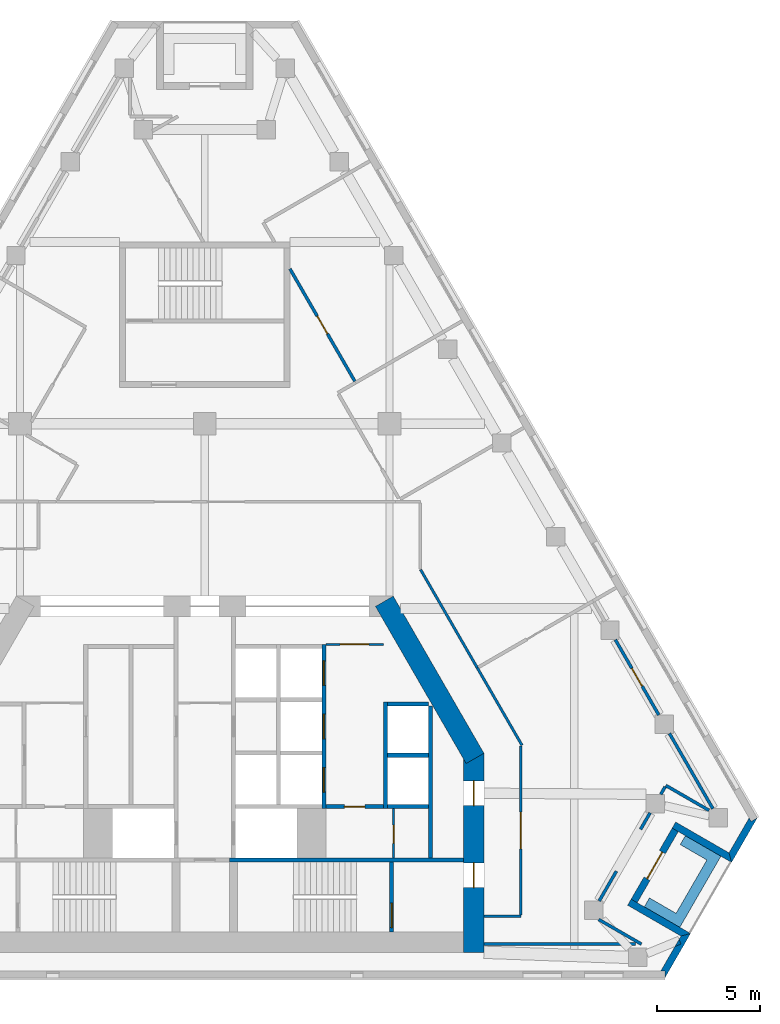
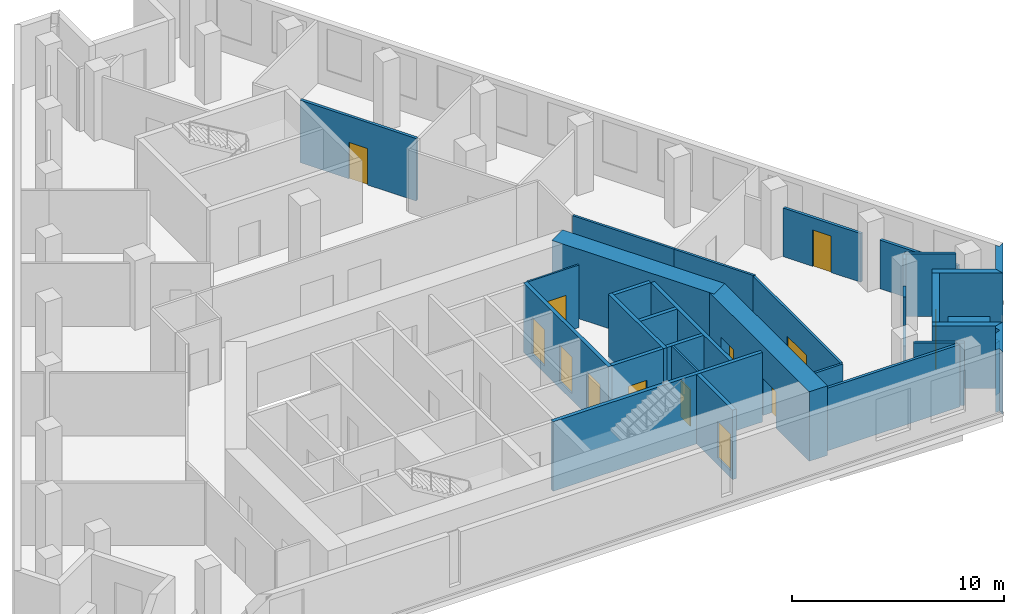
# One storey, part 5 of 8: 33 walls, 13 doors, 13 openings.
"""IFC4 building model written with IfcOpenShell, lengths in metres."""

import ifcopenshell
import ifcopenshell.guid

model = None  # the IFC model being written
_history = None  # IfcOwnerHistory: only IFC2X3 demands one
_inside = {}  # id of a spatial element -> (the spatial element, [elements in it])
_under = {}  # id of a project, library or spatial element -> (it, [spatial elements below it])
_declared = {}  # id of a project -> (the project, [libraries it declares])
_typed = {}  # id of a type object -> (the type object, [elements of that type])
_made_of = {}  # id of a material, layer set ... -> (it, [elements and type objects made of it])


def new_model(schema):
    """Start an empty IFC model of exactly this schema.

    Asked for "IFC4X3", IfcOpenShell would pick the latest addendum, in which some entities
    have other attributes; the version numbers below select the first issue.
    IFC2X3 requires an IfcOwnerHistory on every rooted entity: one is made here for all.
    """
    global model, _history
    if schema == "IFC4X3":
        model = ifcopenshell.file(schema_version=(4, 3, 0, 0))
    else:
        model = ifcopenshell.file(schema=schema)
    _inside.clear()
    _under.clear()
    _declared.clear()
    _typed.clear()
    _made_of.clear()
    _history = None
    if model.schema == "IFC2X3":
        org = make("IfcOrganization", Name="unknown")
        user = make(
            "IfcPersonAndOrganization",
            ThePerson=make("IfcPerson", FamilyName="unknown"),
            TheOrganization=org,
        )
        app = make(
            "IfcApplication",
            ApplicationDeveloper=org,
            Version="unknown",
            ApplicationFullName="unknown",
            ApplicationIdentifier="unknown",
        )
        _history = make(
            "IfcOwnerHistory",
            OwningUser=user,
            OwningApplication=app,
            ChangeAction="ADDED",
            CreationDate=0,
        )
    return model


def make(cls, **values):
    """One entity of the class cls with the attributes given. An attribute that is None is left unset."""
    return model.create_entity(
        cls, **{name: value for name, value in values.items() if value is not None}
    )


def rooted(cls, **values):
    """An entity with a GlobalId (a new one), such as an element, a storey or a relation."""
    return make(cls, GlobalId=ifcopenshell.guid.new(), OwnerHistory=_history, **values)


def si_unit(unit_type, name, prefix=None):
    """IfcSIUnit, for example si_unit("LENGTHUNIT", "METRE", prefix="MILLI")."""
    return make("IfcSIUnit", UnitType=unit_type, Prefix=prefix, Name=name)


def assignment(units):
    """IfcUnitAssignment: the units of a project."""
    return None if units is None else make("IfcUnitAssignment", Units=units)


def point(xyz):
    """IfcCartesianPoint."""
    return None if xyz is None else make("IfcCartesianPoint", Coordinates=xyz)


def direction(xyz):
    """IfcDirection."""
    return None if xyz is None else make("IfcDirection", DirectionRatios=xyz)


def frame(location, z_axis=None, x_axis=None):
    """IfcAxis2Placement3D, a coordinate frame: its origin and axes. An axis left out is left unset."""
    return make(
        "IfcAxis2Placement3D",
        Location=point(location),
        Axis=direction(z_axis),
        RefDirection=direction(x_axis),
    )


def frame_2d(location, x_axis=None):
    """IfcAxis2Placement2D, a coordinate frame in the plane: its origin and x axis."""
    return make(
        "IfcAxis2Placement2D", Location=point(location), RefDirection=direction(x_axis)
    )


def origin():
    """The frame at (0, 0, 0) with its axes left unset."""
    return frame((0.0, 0.0, 0.0))


def place(relative_to, where):
    """IfcLocalPlacement: puts the frame where relative to a parent placement (None: the world)."""
    return make(
        "IfcLocalPlacement", PlacementRelTo=relative_to, RelativePlacement=where
    )


def context(
    kind, dimensions, precision=None, world=None, true_north=None, identifier=None
):
    """IfcGeometricRepresentationContext, for example the 3D "Model" context."""
    return make(
        "IfcGeometricRepresentationContext",
        ContextIdentifier=identifier,
        ContextType=kind,
        CoordinateSpaceDimension=dimensions,
        Precision=precision,
        WorldCoordinateSystem=world,
        TrueNorth=true_north,
    )


def subcontext(parent, identifier, kind, view, scale=None):
    """IfcGeometricRepresentationSubContext, for example "Body" below "Model"."""
    return make(
        "IfcGeometricRepresentationSubContext",
        ContextIdentifier=identifier,
        ContextType=kind,
        ParentContext=parent,
        TargetScale=scale,
        TargetView=view,
    )


def project(units=None, contexts=None):
    """IfcProject with its units and contexts."""
    return rooted(
        "IfcProject",
        Name="project",
        RepresentationContexts=contexts,
        UnitsInContext=assignment(units),
    )


def spatial(cls, under=None, at=None, **own):
    """A site, building, storey or space (cls), placed at a placement, below another one or the project."""
    s = rooted(cls, ObjectPlacement=at, **own)
    if under is not None:
        _under.setdefault(under.id(), (under, []))[1].append(s)
    return s


def polyline(points):
    """IfcPolyline through the points."""
    return make("IfcPolyline", Points=[point(p) for p in points])


def profile(cls, at=None, kind="AREA", **sizes):
    """A parametric profile (cls). Its sizes go by their IFC names, for example OverallWidth=200.0."""
    return make(cls, ProfileType=kind, Position=at, **sizes)


def rectangle(**sizes):
    """IfcRectangleProfileDef."""
    return profile("IfcRectangleProfileDef", **sizes)


def outline(outer, holes=None, kind="AREA"):
    """IfcArbitraryClosedProfileDef: a profile drawn as a closed curve; with holes, ...WithVoids."""
    if holes is None:
        return make("IfcArbitraryClosedProfileDef", ProfileType=kind, OuterCurve=outer)
    return make(
        "IfcArbitraryProfileDefWithVoids",
        ProfileType=kind,
        OuterCurve=outer,
        InnerCurves=holes,
    )


def extrude(swept, where, along, depth):
    """IfcExtrudedAreaSolid: the profile swept, set in the frame where, extruded along a direction by depth."""
    return make(
        "IfcExtrudedAreaSolid",
        SweptArea=swept,
        Position=where,
        ExtrudedDirection=direction(along),
        Depth=depth,
    )


def shape(context_of_items, identifier, shape_type, items):
    """IfcShapeRepresentation: the items that make up one representation, for example the "Body"."""
    return make(
        "IfcShapeRepresentation",
        ContextOfItems=context_of_items,
        RepresentationIdentifier=identifier,
        RepresentationType=shape_type,
        Items=items,
    )


def material(Name=None, Category=None):
    """IfcMaterial."""
    return make("IfcMaterial", Name=Name, Category=Category)


def layer(
    of_material, thickness, ventilated=None, Name=None, Category=None, Priority=None
):
    """IfcMaterialLayer: one layer of a wall or slab, of a material (None: an air gap)."""
    return make(
        "IfcMaterialLayer",
        Material=of_material,
        LayerThickness=thickness,
        IsVentilated=ventilated,
        Name=Name,
        Category=Category,
        Priority=Priority,
    )


def layer_set(layers, Name=None):
    """IfcMaterialLayerSet."""
    return make("IfcMaterialLayerSet", MaterialLayers=layers, LayerSetName=Name)


def made_of(thing, what):
    """Note that an element or type object is made of a material, layer set ...; save() writes the relation."""
    if what is not None:
        _made_of.setdefault(what.id(), (what, []))[1].append(thing)
    return thing


def type_object(cls, material=None, **own):
    """A type object (cls), such as IfcWallType, which elements share."""
    return made_of(rooted(cls, **own), material)


def element(
    cls,
    number,
    at=None,
    inside=None,
    cuts=None,
    type_object=None,
    material=None,
    context=None,
    identifier="Body",
    shape_type=None,
    held_by="IfcProductDefinitionShape",
    body=None,
    shapes=None,
    **own,
):
    """One element of the class cls, such as IfcWall. Its Tag is "e" and its number.

    at: its placement. inside: the storey or other place that contains it. cuts: it is an
    opening in that element (IfcRelVoidsElement). A single representation is given by context,
    identifier, shape_type and body (its items); several are given by shapes. held_by: the class
    of the entity that holds the representations. save() writes the other relations.
    """
    e = rooted(cls, Tag="e%d" % number, ObjectPlacement=at, **own)
    if body is not None:
        shapes = [shape(context, identifier, shape_type, body)]
    if shapes is not None:
        e.Representation = make(held_by, Representations=shapes)
    if inside is not None:
        _inside.setdefault(inside.id(), (inside, []))[1].append(e)
    if cuts is not None:
        rooted(
            "IfcRelVoidsElement", RelatingBuildingElement=cuts, RelatedOpeningElement=e
        )
    if type_object is not None:
        _typed.setdefault(type_object.id(), (type_object, []))[1].append(e)
    return made_of(e, material)


def fill(opening, filler):
    """IfcRelFillsElement: the door or window that sits in an opening."""
    return rooted(
        "IfcRelFillsElement",
        RelatingOpeningElement=opening,
        RelatedBuildingElement=filler,
    )


def aggregate(whole, parts):
    """IfcRelAggregates: a whole, such as a stair, and the parts it consists of."""
    return rooted("IfcRelAggregates", RelatingObject=whole, RelatedObjects=parts)


def save(model, path):
    """Write the relations noted so far, then the file.

    IfcRelAggregates (storeys below a building ...), IfcRelContainedInSpatialStructure (elements
    in a storey), IfcRelDefinesByType, IfcRelAssociatesMaterial and IfcRelDeclares: one each for
    every whole, place, type object, material and project.
    """
    for whole, parts in _under.values():
        aggregate(whole, parts)
    for where, things in _inside.values():
        rooted(
            "IfcRelContainedInSpatialStructure",
            RelatedElements=things,
            RelatingStructure=where,
        )
    for kind, things in _typed.values():
        rooted("IfcRelDefinesByType", RelatedObjects=things, RelatingType=kind)
    for what, things in _made_of.values():
        rooted("IfcRelAssociatesMaterial", RelatedObjects=things, RelatingMaterial=what)
    for by, libraries in _declared.values():
        rooted("IfcRelDeclares", RelatingContext=by, RelatedDefinitions=libraries)
    model.write(path)


model = new_model("IFC4")

# Units and contexts
model_context = context("Model", 3, precision=1e-05, world=origin(), true_north=direction((0.0, 1.0)))
body_context = subcontext(model_context, "Body", "Model", "MODEL_VIEW")
ifc_project = project(units=[si_unit("LENGTHUNIT", "METRE"), si_unit("AREAUNIT", "SQUARE_METRE"), si_unit("VOLUMEUNIT", "CUBIC_METRE"), si_unit("PLANEANGLEUNIT", "RADIAN"), si_unit("MASSUNIT", "GRAM", prefix="KILO")], contexts=[model_context])

# Site, building, storey
site_placement = place(None, origin())
site = spatial("IfcSite", under=ifc_project, at=site_placement, CompositionType="ELEMENT")
building_placement = place(site_placement, origin())
building = spatial("IfcBuilding", under=site, at=building_placement, Name="Fogline Exchange Tower", CompositionType="ELEMENT")
storey_placement = place(building_placement, frame((0.0, 0.0, 227.5)))
storey = spatial("IfcBuildingStorey", under=building, at=storey_placement, Name="L51", CompositionType="ELEMENT", Elevation=227.5)

# Wall, opening, door
ifc_material_1 = material(Name="Blockwork partition", Category="masonry")
ifc_layer_1 = layer(ifc_material_1, 0.10009765625)
ifc_layer_set_1 = layer_set([ifc_layer_1], Name="CW10")
wall_type_1 = type_object("IfcWallType", Name="CW10", PredefinedType="PARTITIONING", material=ifc_layer_set_1)
wall_1_placement = place(storey_placement, frame((5.89990234375, 16.25, 0.0), z_axis=(0.0, 0.0, 1.0), x_axis=(1.0, 0.0, 0.0)))
wall_1 = element("IfcWall", 1, at=wall_1_placement, inside=storey, type_object=wall_type_1, Name="Lift lobby partition", PredefinedType="PARTITIONING", context=body_context, shape_type="SweptSolid", body=[
    extrude(rectangle(XDim=2.800048828125, YDim=0.10009765625, at=frame_2d((1.39990234375, 0.0))), origin(), (0.0, 0.0, 1.0), 3.60009765625),
])
opening_1_placement = place(wall_1_placement, frame((0.699951171875, 0.0, 0.0)))
opening_1 = element("IfcOpeningElement", 2, at=opening_1_placement, cuts=wall_1, Name="Opening T16-C012", PredefinedType="OPENING", context=body_context, shape_type="SweptSolid", body=[
    extrude(rectangle(XDim=1.39990234375, YDim=2.10009765625, at=frame_2d((0.699951171875, 1.050048828125))), frame((0.0, 0.06005859375, 0.0), z_axis=(0.0, -1.0, 0.0), x_axis=(1.0, 0.0, 0.0)), (0.0, 0.0, 1.0), 0.1201171875),
])
ifc_material_2 = material(Name="Steel and timber fire door", Category="steel")
door_type_1 = type_object("IfcDoorType", Name="D-LB1", OperationType="DOUBLE_DOOR_SINGLE_SWING", PredefinedType="DOOR", material=ifc_material_2)
door_1_placement = place(opening_1_placement, origin())
door_1 = element("IfcDoor", 3, at=door_1_placement, inside=storey, type_object=door_type_1, Name="Door to lift lobby", OperationType="DOUBLE_DOOR_SINGLE_SWING", OverallHeight=2.10009765625, OverallWidth=1.39990234375, PredefinedType="DOOR", context=body_context, shape_type="SweptSolid", body=[
    extrude(rectangle(XDim=1.39990234375, YDim=2.10009765625, at=frame_2d((0.699951171875, 1.050048828125))), frame((0.0, 0.02490234375, 0.0), z_axis=(0.0, -1.0, 0.0), x_axis=(1.0, 0.0, 0.0)), (0.0, 0.0, 1.0), 0.050048828125),
])
fill(opening_1, door_1)

wall_2_placement = place(storey_placement, frame((9.199951171875, 5.85009765625, 0.0), z_axis=(0.0, 0.0, 1.0), x_axis=(0.0, 1.0, 0.0)))
wall_2 = element("IfcWall", 4, at=wall_2_placement, inside=storey, type_object=wall_type_1, Name="WC partition", PredefinedType="PARTITIONING", context=body_context, shape_type="SweptSolid", body=[
    extrude(rectangle(XDim=2.39990234375, YDim=0.10009765625, at=frame_2d((1.199951171875, 0.0))), origin(), (0.0, 0.0, 1.0), 3.60009765625),
])
opening_2_placement = place(wall_2_placement, frame((0.699951171875, 0.0, 0.0)))
opening_2 = element("IfcOpeningElement", 5, at=opening_2_placement, cuts=wall_2, Name="Opening T16-C014", PredefinedType="OPENING", context=body_context, shape_type="SweptSolid", body=[
    extrude(rectangle(XDim=0.89990234375, YDim=2.10009765625, at=frame_2d((0.449951171875, 1.050048828125))), frame((0.0, 0.06005859375, 0.0), z_axis=(0.0, -1.0, 0.0), x_axis=(1.0, 0.0, 0.0)), (0.0, 0.0, 1.0), 0.1201171875),
])
door_type_2 = type_object("IfcDoorType", Name="D-CS1", OperationType="SINGLE_SWING_RIGHT", PredefinedType="DOOR", material=ifc_material_2)
door_2_placement = place(opening_2_placement, frame((0.89990234375, 0.0, 0.0), z_axis=(0.0, 0.0, 1.0), x_axis=(-1.0, 0.0, 0.0)))
door_2 = element("IfcDoor", 6, at=door_2_placement, inside=storey, type_object=door_type_2, Name="Door to Cleaner's Store", OperationType="SINGLE_SWING_RIGHT", OverallHeight=2.10009765625, OverallWidth=0.89990234375, PredefinedType="DOOR", context=body_context, shape_type="SweptSolid", body=[
    extrude(rectangle(XDim=0.89990234375, YDim=2.10009765625, at=frame_2d((0.449951171875, 1.050048828125))), frame((0.0, 0.02490234375, 0.0), z_axis=(0.0, -1.0, 0.0), x_axis=(1.0, 0.0, 0.0)), (0.0, 0.0, 1.0), 0.050048828125),
])
fill(opening_2, door_2)

# Wall
ifc_material_3 = material(Name="Concrete C40", Category="concrete")
ifc_layer_2 = layer(ifc_material_3, 0.199951171875)
ifc_layer_set_2 = layer_set([ifc_layer_2], Name="CW20")
wall_type_2 = type_object("IfcWallType", Name="CW20", PredefinedType="SOLIDWALL", material=ifc_layer_set_2)
wall_3_placement = place(storey_placement, frame((11.0, 5.85009765625, 0.0), z_axis=(0.0, 0.0, 1.0), x_axis=(0.0, 1.0, 0.0)))
element("IfcWall", 7, at=wall_3_placement, inside=storey, type_object=wall_type_2, Name="Service room wall", PredefinedType="SOLIDWALL", context=body_context, shape_type="SweptSolid", body=[
    extrude(rectangle(XDim=7.39990234375, YDim=0.199951171875, at=frame_2d((3.699951171875, 0.0))), origin(), (0.0, 0.0, 1.0), 3.60009765625),
])

# Wall, opening, door
wall_4_placement = place(storey_placement, frame((5.89990234375, 8.35009765625, 0.0), z_axis=(0.0, 0.0, 1.0), x_axis=(1.0, 0.0, 0.0)))
wall_4 = element("IfcWall", 8, at=wall_4_placement, inside=storey, type_object=wall_type_2, Name="WC wall", PredefinedType="SOLIDWALL", context=body_context, shape_type="SweptSolid", body=[
    extrude(rectangle(XDim=2.800048828125, YDim=0.199951171875, at=frame_2d((1.39990234375, 0.0))), origin(), (0.0, 0.0, 1.0), 3.60009765625),
])
opening_3_placement = place(wall_4_placement, frame((0.89990234375, 0.0, 0.0)))
opening_3 = element("IfcOpeningElement", 9, at=opening_3_placement, cuts=wall_4, Name="Opening T16-C013", PredefinedType="OPENING", context=body_context, shape_type="SweptSolid", body=[
    extrude(rectangle(XDim=1.0, YDim=2.10009765625, at=frame_2d((0.5, 1.050048828125))), frame((0.0, 0.10986328125, 0.0), z_axis=(0.0, -1.0, 0.0), x_axis=(1.0, 0.0, 0.0)), (0.0, 0.0, 1.0), 0.219970703125),
])
door_type_3 = type_object("IfcDoorType", Name="D-WC1", OperationType="SINGLE_SWING_LEFT", PredefinedType="DOOR", material=ifc_material_2)
door_3_placement = place(opening_3_placement, frame((1.0, 0.0, 0.0), z_axis=(0.0, 0.0, 1.0), x_axis=(-1.0, 0.0, 0.0)))
door_3 = element("IfcDoor", 10, at=door_3_placement, inside=storey, type_object=door_type_3, Name="Door to Women's WC", OperationType="SINGLE_SWING_LEFT", OverallHeight=2.10009765625, OverallWidth=1.0, PredefinedType="DOOR", context=body_context, shape_type="SweptSolid", body=[
    extrude(rectangle(XDim=1.0, YDim=2.10009765625, at=frame_2d((0.5, 1.050048828125))), frame((0.0, 0.02490234375, 0.0), z_axis=(0.0, -1.0, 0.0), x_axis=(1.0, 0.0, 0.0)), (0.0, 0.0, 1.0), 0.050048828125),
])
fill(opening_3, door_3)

# Wall
ifc_layer_3 = layer(ifc_material_3, 0.199951171875)
ifc_layer_set_3 = layer_set([ifc_layer_3], Name="CW20R")
wall_type_3 = type_object("IfcWallType", Name="CW20R", PredefinedType="SOLIDWALL", material=ifc_layer_set_3)
wall_5_placement = place(storey_placement, frame((1.199951171875, 5.75, -0.39990234375), z_axis=(0.0, 0.0, 1.0), x_axis=(1.0, 0.0, 0.0)))
element("IfcWall", 11, at=wall_5_placement, inside=storey, type_object=wall_type_3, Name="Stair enclosure wall", PredefinedType="SOLIDWALL", context=body_context, shape_type="SweptSolid", body=[
    extrude(rectangle(XDim=11.400146484375, YDim=0.199951171875, at=frame_2d((5.7001953125, 0.0))), origin(), (0.0, 0.0, 1.0), 4.0),
])

# Wall, opening, door
wall_6_placement = place(storey_placement, frame((9.10009765625, 2.25, -0.39990234375), z_axis=(0.0, 0.0, 1.0), x_axis=(0.0, 1.0, 0.0)))
wall_6 = element("IfcWall", 12, at=wall_6_placement, inside=storey, type_object=wall_type_3, Name="Stair enclosure wall", PredefinedType="SOLIDWALL", context=body_context, shape_type="SweptSolid", body=[
    extrude(rectangle(XDim=3.39990234375, YDim=0.199951171875, at=frame_2d((1.699951171875, 0.0))), origin(), (0.0, 0.0, 1.0), 4.0),
])
opening_4_placement = place(wall_6_placement, frame((0.199951171875, 0.0, 0.39990234375)))
opening_4 = element("IfcOpeningElement", 13, at=opening_4_placement, cuts=wall_6, Name="Opening T16-C016", PredefinedType="OPENING", context=body_context, shape_type="SweptSolid", body=[
    extrude(rectangle(XDim=1.199951171875, YDim=2.10009765625, at=frame_2d((0.60009765625, 1.050048828125))), frame((0.0, 0.10986328125, 0.0), z_axis=(0.0, -1.0, 0.0), x_axis=(1.0, 0.0, 0.0)), (0.0, 0.0, 1.0), 0.219970703125),
])
door_type_4 = type_object("IfcDoorType", Name="D-ST1", OperationType="SINGLE_SWING_LEFT", PredefinedType="DOOR", material=ifc_material_2)
door_4_placement = place(opening_4_placement, origin())
door_4 = element("IfcDoor", 14, at=door_4_placement, inside=storey, type_object=door_type_4, Name="Stair door ST2", OperationType="SINGLE_SWING_LEFT", OverallHeight=2.10009765625, OverallWidth=1.199951171875, PredefinedType="DOOR", context=body_context, shape_type="SweptSolid", body=[
    extrude(rectangle(XDim=1.199951171875, YDim=2.10009765625, at=frame_2d((0.60009765625, 1.050048828125))), frame((0.0, 0.02490234375, 0.0), z_axis=(0.0, -1.0, 0.0), x_axis=(1.0, 0.0, 0.0)), (0.0, 0.0, 1.0), 0.050048828125),
])
fill(opening_4, door_4)

# Wall
ifc_layer_4 = layer(ifc_material_3, 0.199951171875)
ifc_layer_set_4 = layer_set([ifc_layer_4], Name="CW20S")
wall_type_4 = type_object("IfcWallType", Name="CW20S", PredefinedType="SOLIDWALL", material=ifc_layer_set_4)
wall_7_placement = place(storey_placement, frame((8.800048828125, 8.25, -0.39990234375), z_axis=(0.0, 0.0, 1.0), x_axis=(0.0, 1.0, 0.0)))
element("IfcWall", 15, at=wall_7_placement, inside=storey, type_object=wall_type_4, Name="Lift shaft wall", PredefinedType="SOLIDWALL", context=body_context, shape_type="SweptSolid", body=[
    extrude(rectangle(XDim=5.199951171875, YDim=0.199951171875, at=frame_2d((2.60009765625, 0.0))), origin(), (0.0, 0.0, 1.0), 4.0),
])

# Wall, openings, doors
wall_8_placement = place(storey_placement, frame((5.800048828125, 8.25, -0.39990234375), z_axis=(0.0, 0.0, 1.0), x_axis=(0.0, 1.0, 0.0)))
wall_8 = element("IfcWall", 16, at=wall_8_placement, inside=storey, type_object=wall_type_4, Name="Lift shaft wall", PredefinedType="SOLIDWALL", context=body_context, shape_type="SweptSolid", body=[
    extrude(rectangle(XDim=8.0, YDim=0.199951171875, at=frame_2d((4.0, 0.0))), origin(), (0.0, 0.0, 1.0), 4.0),
])
opening_5_placement = place(wall_8_placement, frame((0.800048828125, 0.0, 0.39990234375)))
opening_5 = element("IfcOpeningElement", 17, at=opening_5_placement, cuts=wall_8, Name="Opening T16-LD02", PredefinedType="OPENING", context=body_context, shape_type="SweptSolid", body=[
    extrude(rectangle(XDim=1.199951171875, YDim=2.10009765625, at=frame_2d((0.60009765625, 1.050048828125))), frame((0.0, 0.10986328125, 0.0), z_axis=(0.0, -1.0, 0.0), x_axis=(1.0, 0.0, 0.0)), (0.0, 0.0, 1.0), 0.219970703125),
])
opening_6_placement = place(wall_8_placement, frame((3.39990234375, 0.0, 0.39990234375)))
opening_6 = element("IfcOpeningElement", 18, at=opening_6_placement, cuts=wall_8, Name="Opening T16-LD03", PredefinedType="OPENING", context=body_context, shape_type="SweptSolid", body=[
    extrude(rectangle(XDim=1.199951171875, YDim=2.10009765625, at=frame_2d((0.60009765625, 1.050048828125))), frame((0.0, 0.10986328125, 0.0), z_axis=(0.0, -1.0, 0.0), x_axis=(1.0, 0.0, 0.0)), (0.0, 0.0, 1.0), 0.219970703125),
])
opening_7_placement = place(wall_8_placement, frame((6.0, 0.0, 0.39990234375)))
opening_7 = element("IfcOpeningElement", 19, at=opening_7_placement, cuts=wall_8, Name="Opening T16-LD04", PredefinedType="OPENING", context=body_context, shape_type="SweptSolid", body=[
    extrude(rectangle(XDim=1.199951171875, YDim=2.10009765625, at=frame_2d((0.60009765625, 1.050048828125))), frame((0.0, 0.10986328125, 0.0), z_axis=(0.0, -1.0, 0.0), x_axis=(1.0, 0.0, 0.0)), (0.0, 0.0, 1.0), 0.219970703125),
])
door_type_5 = type_object("IfcDoorType", Name="LD1", OperationType="SLIDING_TO_LEFT", PredefinedType="DOOR", material=ifc_material_2)
door_5_placement = place(opening_5_placement, origin())
door_5 = element("IfcDoor", 20, at=door_5_placement, inside=storey, type_object=door_type_5, Name="Landing door MR1", OperationType="SLIDING_TO_LEFT", OverallHeight=2.10009765625, OverallWidth=1.199951171875, PredefinedType="DOOR", context=body_context, shape_type="SweptSolid", body=[
    extrude(rectangle(XDim=1.199951171875, YDim=2.10009765625, at=frame_2d((0.60009765625, 1.050048828125))), frame((0.0, 0.02490234375, 0.0), z_axis=(0.0, -1.0, 0.0), x_axis=(1.0, 0.0, 0.0)), (0.0, 0.0, 1.0), 0.050048828125),
])
fill(opening_5, door_5)
door_6_placement = place(opening_6_placement, origin())
door_6 = element("IfcDoor", 21, at=door_6_placement, inside=storey, type_object=door_type_5, Name="Landing door MR2", OperationType="SLIDING_TO_LEFT", OverallHeight=2.10009765625, OverallWidth=1.199951171875, PredefinedType="DOOR", context=body_context, shape_type="SweptSolid", body=[
    extrude(rectangle(XDim=1.199951171875, YDim=2.10009765625, at=frame_2d((0.60009765625, 1.050048828125))), frame((0.0, 0.02490234375, 0.0), z_axis=(0.0, -1.0, 0.0), x_axis=(1.0, 0.0, 0.0)), (0.0, 0.0, 1.0), 0.050048828125),
])
fill(opening_6, door_6)
door_7_placement = place(opening_7_placement, origin())
door_7 = element("IfcDoor", 22, at=door_7_placement, inside=storey, type_object=door_type_5, Name="Landing door MR3", OperationType="SLIDING_TO_LEFT", OverallHeight=2.10009765625, OverallWidth=1.199951171875, PredefinedType="DOOR", context=body_context, shape_type="SweptSolid", body=[
    extrude(rectangle(XDim=1.199951171875, YDim=2.10009765625, at=frame_2d((0.60009765625, 1.050048828125))), frame((0.0, 0.02490234375, 0.0), z_axis=(0.0, -1.0, 0.0), x_axis=(1.0, 0.0, 0.0)), (0.0, 0.0, 1.0), 0.050048828125),
])
fill(opening_7, door_7)

# Walls
for number, where, z_axis, x_axis, name in (
    (23, (8.89990234375, 8.35009765625, -0.39990234375), (0.0, 0.0, 1.0), (1.0, 0.0, 0.0), "Lift shaft wall"),
    (24, (8.89990234375, 10.85009765625, -0.39990234375), (0.0, 0.0, 1.0), (1.0, 0.0, 0.0), "Lift shaft wall"),
    (25, (8.89990234375, 13.35009765625, -0.39990234375), (0.0, 0.0, 1.0), (1.0, 0.0, 0.0), "Lift shaft wall"),
):
    element("IfcWall", number, at=place(storey_placement, frame(where, z_axis=z_axis, x_axis=x_axis)), inside=storey, type_object=wall_type_4, Name=name, PredefinedType="SOLIDWALL", context=body_context, shape_type="SweptSolid", body=[
        extrude(rectangle(XDim=2.0, YDim=0.199951171875, at=frame_2d((1.0, 0.0))), origin(), (0.0, 0.0, 1.0), 4.0),
    ])
ifc_material_4 = material(Name="Brick masonry", Category="masonry")
ifc_layer_5 = layer(ifc_material_4, 0.340087890625)
ifc_layer_set_5 = layer_set([ifc_layer_5], Name="FW1")
wall_type_5 = type_object("IfcWallType", Name="FW1", PredefinedType="SOLIDWALL", material=ifc_layer_set_5)
wall_9_placement = place(storey_placement, origin())
element("IfcWall", 26, at=wall_9_placement, inside=storey, type_object=wall_type_5, Name="Brick wall L51 SE-c1", PredefinedType="SOLIDWALL", context=body_context, shape_type="SweptSolid", body=[
    extrude(outline(polyline([(23.1044921875, 1.877197265625), (23.19775390625, 1.65087890625), (22.904052734375, 1.530029296875), (23.1044921875, 1.877197265625)])), origin(), (0.0, 0.0, 1.0), 3.0),
])
wall_10_placement = place(storey_placement, origin())
element("IfcWall", 27, at=wall_10_placement, inside=storey, type_object=wall_type_5, Name="Brick wall L51 SE-c1", PredefinedType="SOLIDWALL", context=body_context, shape_type="SweptSolid", body=[
    extrude(outline(polyline([(22.4140625, -0.001220703125), (22.41357421875, -0.0009765625), (22.41357421875, 0.33935546875), (22.216796875, 0.33935546875), (22.904052734375, 1.530029296875), (23.19775390625, 1.65087890625), (23.1044921875, 1.877197265625), (23.19921875, 2.041015625), (23.6650390625, 2.166015625), (23.665283203125, 2.165771484375), (22.4140625, -0.001220703125)])), origin(), (0.0, 0.0, 1.0), 3.60009765625),
])
wall_11_placement = place(storey_placement, origin())
element("IfcWall", 28, at=wall_11_placement, inside=storey, type_object=wall_type_5, Name="Brick wall L51 SE-s1", PredefinedType="SOLIDWALL", context=body_context, shape_type="SweptSolid", body=[
    extrude(outline(polyline([(20.600830078125, 3.540283203125), (20.771484375, 3.8359375), (21.06640625, 3.66552734375), (23.665283203125, 2.1650390625), (23.665283203125, 2.164794921875), (23.19970703125, 2.0400390625), (20.600830078125, 3.540283203125)])), origin(), (0.0, 0.0, 1.0), 3.60009765625),
])

# Wall, opening, door
wall_12_placement = place(storey_placement, frame((20.9189453125, 3.75, 0.0), z_axis=(0.0, 0.0, 1.0), x_axis=(0.49999894854, 0.866026010844, 0.0)))
wall_12 = element("IfcWall", 29, at=wall_12_placement, inside=storey, type_object=wall_type_5, Name="Brick wall L51 SE-bk", PredefinedType="SOLIDWALL", context=body_context, shape_type="SweptSolid", body=[
    extrude(rectangle(XDim=4.0, YDim=0.340087890625, at=frame_2d((2.0, 0.0))), origin(), (0.0, 0.0, 1.0), 3.60009765625),
])
opening_8_placement = place(wall_12_placement, frame((1.25, 0.0, 0.0)))
opening_8 = element("IfcOpeningElement", 30, at=opening_8_placement, cuts=wall_12, Name="Opening T16-E081", PredefinedType="OPENING", context=body_context, shape_type="SweptSolid", body=[
    extrude(rectangle(XDim=1.5, YDim=2.39990234375, at=frame_2d((0.75, 1.199951171875))), frame((0.0, 0.18017578125, 0.0), z_axis=(0.0, -1.0, 0.0), x_axis=(1.0, 0.0, 0.0)), (0.0, 0.0, 1.0), 0.360107421875),
])
ifc_material_5 = material(Name="Aluminium and glass", Category="aluminium")
door_type_6 = type_object("IfcDoorType", Name="ED4", OperationType="SINGLE_SWING_LEFT", PredefinedType="DOOR", material=ifc_material_5)
door_8_placement = place(opening_8_placement, frame((1.5, 0.0, 0.0), z_axis=(0.0, 0.0, 1.0), x_axis=(-1.0, 0.0, 0.0)))
door_8 = element("IfcDoor", 31, at=door_8_placement, inside=storey, type_object=door_type_6, Name="Balcony door L51 SE", OperationType="DOUBLE_DOOR_SINGLE_SWING", OverallHeight=2.39990234375, OverallWidth=1.5, PredefinedType="DOOR", context=body_context, shape_type="SweptSolid", body=[
    extrude(rectangle(XDim=1.5, YDim=2.39990234375, at=frame_2d((0.75, 1.199951171875))), frame((0.0, 0.02490234375, 0.0), z_axis=(0.0, -1.0, 0.0), x_axis=(1.0, 0.0, 0.0)), (0.0, 0.0, 1.0), 0.050048828125),
])
fill(opening_8, door_8)

# Walls
wall_13_placement = place(storey_placement, origin())
element("IfcWall", 32, at=wall_13_placement, inside=storey, type_object=wall_type_5, Name="Brick wall L51 SE-s2", PredefinedType="SOLIDWALL", context=body_context, shape_type="SweptSolid", body=[
    extrude(outline(polyline([(25.664794921875, 5.628173828125), (23.065673828125, 7.128662109375), (22.770751953125, 7.298828125), (22.94140625, 7.594482421875), (25.540283203125, 6.093994140625), (25.6650390625, 5.62841796875), (25.664794921875, 5.628173828125)])), origin(), (0.0, 0.0, 1.0), 3.60009765625),
])
wall_14_placement = place(storey_placement, origin())
element("IfcWall", 33, at=wall_14_placement, inside=storey, type_object=wall_type_5, Name="Brick wall L51 SE-c2", PredefinedType="SOLIDWALL", context=body_context, shape_type="SweptSolid", body=[
    extrude(outline(polyline([(26.521484375, 7.79541015625), (26.619873046875, 7.625), (26.914794921875, 7.79541015625), (26.915283203125, 7.794921875), (25.6640625, 5.6279296875), (25.663818359375, 5.6279296875), (25.5390625, 6.09375), (26.521484375, 7.79541015625)])), origin(), (0.0, 0.0, 1.0), 3.60009765625),
])
ifc_material_6 = material(Name="Concrete C30", Category="concrete")
ifc_layer_6 = layer(ifc_material_6, 0.199951171875)
ifc_layer_set_6 = layer_set([ifc_layer_6], Name="PL1")
wall_type_6 = type_object("IfcWallType", Name="PL1", PredefinedType="USERDEFINED", material=ifc_layer_set_6)
wall_15_placement = place(storey_placement, origin())
element("IfcWall", 34, at=wall_15_placement, inside=storey, type_object=wall_type_6, Name="PLANTER balcony L51 SE", ObjectType="PLANTER", PredefinedType="USERDEFINED", context=body_context, shape_type="SweptSolid", body=[
    extrude(outline(polyline([(21.41259765625, 3.465087890625), (22.71142578125, 2.715087890625), (22.71142578125, 2.715087890625), (23.14453125, 2.465087890625), (24.89453125, 5.49609375), (25.14453125, 5.92919921875), (23.41259765625, 6.92919921875), (23.16259765625, 6.49609375), (24.46142578125, 5.74609375), (22.96142578125, 3.148193359375), (21.66259765625, 3.898193359375), (21.41259765625, 3.465087890625)])), origin(), (0.0, 0.0, 1.0), 1.10009765625),
])
ifc_material_7 = material(Name="Plasterboard corridor partition with mineral wool, 2 layers each side")
ifc_layer_7 = layer(ifc_material_7, 0.125)
ifc_layer_set_7 = layer_set([ifc_layer_7], Name="PW2")
wall_type_7 = type_object("IfcWallType", Name="PW2", PredefinedType="PARTITIONING", material=ifc_layer_set_7)
wall_16_placement = place(storey_placement, frame((10.515380859375, 19.887939453125, 0.0), z_axis=(0.0, 0.0, 1.0), x_axis=(0.500018350302, -0.866014808974, 0.0)))
element("IfcWall", 35, at=wall_16_placement, inside=storey, type_object=wall_type_7, Name="wall-L51-W001", PredefinedType="PARTITIONING", context=body_context, shape_type="SweptSolid", body=[
    extrude(rectangle(XDim=5.523193359375, YDim=0.125, at=frame_2d((2.76171875, 0.0))), origin(), (0.0, 0.0, 1.0), 3.60009765625),
])
wall_17_placement = place(storey_placement, frame((13.277099609375, 15.104736328125, 0.0), z_axis=(0.0, 0.0, 1.0), x_axis=(0.500010417683, -0.866019389049, 0.0)))
element("IfcWall", 36, at=wall_17_placement, inside=storey, type_object=wall_type_7, Name="wall-L51-W002", PredefinedType="PARTITIONING", context=body_context, shape_type="SweptSolid", body=[
    extrude(rectangle(XDim=4.3544921875, YDim=0.125, at=frame_2d((2.17724609375, 0.0))), origin(), (0.0, 0.0, 1.0), 3.60009765625),
])

# Wall, opening, door
wall_18_placement = place(storey_placement, frame((15.39990234375, 11.302734375, 0.0), z_axis=(0.0, 0.0, 1.0), x_axis=(0.0, -1.0, 0.0)))
wall_18 = element("IfcWall", 37, at=wall_18_placement, inside=storey, type_object=wall_type_7, Name="wall-L51-W003", PredefinedType="PARTITIONING", context=body_context, shape_type="SweptSolid", body=[
    extrude(rectangle(XDim=8.240234375, YDim=0.125, at=frame_2d((4.1201171875, 0.0))), origin(), (0.0, 0.0, 1.0), 3.60009765625),
])
opening_9_placement = place(wall_18_placement, frame((3.22021484375, 0.0, 0.0)))
opening_9 = element("IfcOpeningElement", 38, at=opening_9_placement, cuts=wall_18, Name="Opening T16-D001", PredefinedType="OPENING", context=body_context, shape_type="SweptSolid", body=[
    extrude(rectangle(XDim=1.800048828125, YDim=2.10009765625, at=frame_2d((0.89990234375, 1.050048828125))), frame((0.0, 0.072509765625, 0.0), z_axis=(0.0, -1.0, 0.0), x_axis=(1.0, 0.0, 0.0)), (0.0, 0.0, 1.0), 0.14501953125),
])
ifc_material_8 = material(Name="Fire-rated timber door leaves with steel frame", Category="steel")
door_type_7 = type_object("IfcDoorType", Name="D4", OperationType="DOUBLE_DOOR_SINGLE_SWING", PredefinedType="DOOR", material=ifc_material_8)
door_9_placement = place(opening_9_placement, frame((1.800048828125, 0.0, 0.0), z_axis=(0.0, 0.0, 1.0), x_axis=(-1.0, 0.0, 0.0)))
door_9 = element("IfcDoor", 39, at=door_9_placement, inside=storey, type_object=door_type_7, Name="door-L51-D001", OperationType="DOUBLE_DOOR_SINGLE_SWING", OverallHeight=2.10009765625, OverallWidth=1.800048828125, PredefinedType="DOOR", context=body_context, shape_type="SweptSolid", body=[
    extrude(rectangle(XDim=1.800048828125, YDim=2.10009765625, at=frame_2d((0.89990234375, 1.050048828125))), frame((0.0, 0.02490234375, 0.0), z_axis=(0.0, -1.0, 0.0), x_axis=(1.0, 0.0, 0.0)), (0.0, 0.0, 1.0), 0.050048828125),
])
fill(opening_9, door_9)

# Wall
wall_19_placement = place(storey_placement, frame((15.39990234375, 3.0, 0.0), z_axis=(0.0, 0.0, 1.0), x_axis=(-1.0, 0.0, 0.0)))
element("IfcWall", 40, at=wall_19_placement, inside=storey, type_object=wall_type_7, Name="wall-L51-W004", PredefinedType="PARTITIONING", context=body_context, shape_type="SweptSolid", body=[
    extrude(rectangle(XDim=1.7998046875, YDim=0.125, at=frame_2d((0.89990234375, 0.0))), origin(), (0.0, 0.0, 1.0), 3.60009765625),
])

# Wall, opening, door
ifc_material_9 = material(Name="Plasterboard demising partition with mineral wool and acoustic board")
ifc_layer_8 = layer(ifc_material_9, 0.14990234375)
ifc_layer_set_8 = layer_set([ifc_layer_8], Name="PW3")
wall_type_8 = type_object("IfcWallType", Name="PW3", PredefinedType="PARTITIONING", material=ifc_layer_set_8)
wall_20_placement = place(storey_placement, frame((7.311279296875, 29.0673828125, 0.0), z_axis=(0.0, 0.0, 1.0), x_axis=(-0.500005449195, 0.866022257668, 0.0)))
wall_20 = element("IfcWall", 41, at=wall_20_placement, inside=storey, type_object=wall_type_8, Name="wall-L51-W026", PredefinedType="PARTITIONING", context=body_context, shape_type="SweptSolid", body=[
    extrude(rectangle(XDim=6.32275390625, YDim=0.14990234375, at=frame_2d((3.161376953125, 0.0))), origin(), (0.0, 0.0, 1.0), 3.60009765625),
])
opening_10_placement = place(wall_20_placement, frame((2.661376953125, 0.0, 0.0)))
opening_10 = element("IfcOpeningElement", 42, at=opening_10_placement, cuts=wall_20, Name="Opening T16-D009", PredefinedType="OPENING", context=body_context, shape_type="SweptSolid", body=[
    extrude(rectangle(XDim=1.0, YDim=2.10009765625, at=frame_2d((0.5, 1.050048828125))), frame((0.0, 0.0849609375, 0.0), z_axis=(0.0, -1.0, 0.0), x_axis=(1.0, 0.0, 0.0)), (0.0, 0.0, 1.0), 0.169921875),
])
ifc_material_10 = material(Name="Fire-rated timber door leaf with steel frame", Category="steel")
door_type_8 = type_object("IfcDoorType", Name="D3", OperationType="SINGLE_SWING_LEFT", PredefinedType="DOOR", material=ifc_material_10)
door_10_placement = place(opening_10_placement, frame((1.0, 0.0, 0.0), z_axis=(0.0, 0.0, 1.0), x_axis=(-1.0, 0.0, 0.0)))
door_10 = element("IfcDoor", 43, at=door_10_placement, inside=storey, type_object=door_type_8, Name="door-L51-D009", OperationType="SINGLE_SWING_RIGHT", OverallHeight=2.10009765625, OverallWidth=1.0, PredefinedType="DOOR", context=body_context, shape_type="SweptSolid", body=[
    extrude(rectangle(XDim=1.0, YDim=2.10009765625, at=frame_2d((0.5, 1.050048828125))), frame((0.0, 0.02490234375, 0.0), z_axis=(0.0, -1.0, 0.0), x_axis=(1.0, 0.0, 0.0)), (0.0, 0.0, 1.0), 0.050048828125),
])
fill(opening_10, door_10)

# Walls
wall_21_placement = place(storey_placement, frame((13.60009765625, 1.64501953125, 0.0), z_axis=(0.0, 0.0, 1.0), x_axis=(1.0, 0.0, 0.0)))
element("IfcWall", 44, at=wall_21_placement, inside=storey, type_object=wall_type_8, Name="wall-L51-W045", PredefinedType="PARTITIONING", context=body_context, shape_type="SweptSolid", body=[
    extrude(rectangle(XDim=7.39453125, YDim=0.14990234375, at=frame_2d((3.697265625, 0.0))), origin(), (0.0, 0.0, 1.0), 3.60009765625),
])
wall_22_placement = place(storey_placement, frame((21.27490234375, 1.64501953125, 0.0), z_axis=(0.0, 0.0, 1.0), x_axis=(-0.866013374876, 0.500020834101, 0.0)))
element("IfcWall", 45, at=wall_22_placement, inside=storey, type_object=wall_type_8, Name="wall-L51-W046", PredefinedType="PARTITIONING", context=body_context, shape_type="SweptSolid", body=[
    extrude(rectangle(XDim=2.408203125, YDim=0.14990234375, at=frame_2d((1.2041015625, 0.0))), origin(), (0.0, 0.0, 1.0), 3.60009765625),
])
wall_23_placement = place(storey_placement, frame((19.215087890625, 3.7490234375, 0.0), z_axis=(0.0, 0.0, 1.0), x_axis=(0.499957569697, 0.866049899545, 0.0)))
element("IfcWall", 46, at=wall_23_placement, inside=storey, type_object=wall_type_8, Name="wall-L51-W047", PredefinedType="PARTITIONING", context=body_context, shape_type="SweptSolid", body=[
    extrude(rectangle(XDim=1.677978515625, YDim=0.14990234375, at=frame_2d((0.8388671875, 0.0))), origin(), (0.0, 0.0, 1.0), 2.800048828125),
])
wall_24_placement = place(storey_placement, frame((21.22900390625, 7.2373046875, 0.0), z_axis=(0.0, 0.0, 1.0), x_axis=(0.499911261671, 0.866076630821, 0.0)))
element("IfcWall", 47, at=wall_24_placement, inside=storey, type_object=wall_type_8, Name="wall-L51-W048", PredefinedType="PARTITIONING", context=body_context, shape_type="SweptSolid", body=[
    extrude(rectangle(XDim=0.932861328125, YDim=0.14990234375, at=frame_2d((0.46630859375, 0.0))), origin(), (0.0, 0.0, 1.0), 2.800048828125),
])
wall_25_placement = place(storey_placement, frame((22.215087890625, 8.9453125, 0.0), z_axis=(0.0, 0.0, 1.0), x_axis=(0.500239102084, 0.865887314115, 0.0)))
element("IfcWall", 48, at=wall_25_placement, inside=storey, type_object=wall_type_8, Name="wall-L51-W049", PredefinedType="PARTITIONING", context=body_context, shape_type="SweptSolid", body=[
    extrude(rectangle(XDim=0.422607421875, YDim=0.14990234375, at=frame_2d((0.21142578125, 0.0))), origin(), (0.0, 0.0, 1.0), 3.60009765625),
])
wall_26_placement = place(storey_placement, frame((22.4638671875, 9.376220703125, 0.0), z_axis=(0.0, 0.0, 1.0), x_axis=(0.866029721018, -0.499992522257, 0.0)))
element("IfcWall", 49, at=wall_26_placement, inside=storey, type_object=wall_type_8, Name="wall-L51-W050", PredefinedType="PARTITIONING", context=body_context, shape_type="SweptSolid", body=[
    extrude(rectangle(XDim=2.42578125, YDim=0.14990234375, at=frame_2d((1.212890625, 0.0))), origin(), (0.0, 0.0, 1.0), 3.60009765625),
])
wall_27_placement = place(storey_placement, frame((24.7548828125, 8.244140625, 0.0), z_axis=(0.0, 0.0, 1.0), x_axis=(-0.499990325971, 0.866030989016, 0.0)))
element("IfcWall", 50, at=wall_27_placement, inside=storey, type_object=wall_type_8, Name="wall-L51-W051", PredefinedType="PARTITIONING", context=body_context, shape_type="SweptSolid", body=[
    extrude(rectangle(XDim=4.23388671875, YDim=0.14990234375, at=frame_2d((2.116943359375, 0.0))), origin(), (0.0, 0.0, 1.0), 2.800048828125),
])

# Wall, opening, door
wall_28_placement = place(storey_placement, frame((22.118408203125, 12.810791015625, 0.0), z_axis=(0.0, 0.0, 1.0), x_axis=(-0.500015295222, 0.866016572904, 0.0)))
wall_28 = element("IfcWall", 51, at=wall_28_placement, inside=storey, type_object=wall_type_8, Name="wall-L51-W052", PredefinedType="PARTITIONING", context=body_context, shape_type="SweptSolid", body=[
    extrude(rectangle(XDim=4.233642578125, YDim=0.14990234375, at=frame_2d((2.11669921875, 0.0))), origin(), (0.0, 0.0, 1.0), 2.800048828125),
])
opening_11_placement = place(wall_28_placement, frame((1.616943359375, 0.0, 0.0)))
opening_11 = element("IfcOpeningElement", 52, at=opening_11_placement, cuts=wall_28, Name="Opening T16-D014", PredefinedType="OPENING", context=body_context, shape_type="SweptSolid", body=[
    extrude(rectangle(XDim=1.0, YDim=2.10009765625, at=frame_2d((0.5, 1.050048828125))), frame((0.0, 0.0849609375, 0.0), z_axis=(0.0, -1.0, 0.0), x_axis=(1.0, 0.0, 0.0)), (0.0, 0.0, 1.0), 0.169921875),
])
door_11_placement = place(opening_11_placement, frame((1.0, 0.0, 0.0), z_axis=(0.0, 0.0, 1.0), x_axis=(-1.0, 0.0, 0.0)))
door_11 = element("IfcDoor", 53, at=door_11_placement, inside=storey, type_object=door_type_8, Name="door-L51-D014", OperationType="SINGLE_SWING_LEFT", OverallHeight=2.10009765625, OverallWidth=1.0, PredefinedType="DOOR", context=body_context, shape_type="SweptSolid", body=[
    extrude(rectangle(XDim=1.0, YDim=2.10009765625, at=frame_2d((0.5, 1.050048828125))), frame((0.0, 0.02490234375, 0.0), z_axis=(0.0, -1.0, 0.0), x_axis=(1.0, 0.0, 0.0)), (0.0, 0.0, 1.0), 0.050048828125),
])
fill(opening_11, door_11)

# Wall, openings, doors
ifc_material_11 = material(Name="Concrete C60", Category="concrete")
ifc_layer_9 = layer(ifc_material_11, 1.0)
ifc_layer_set_9 = layer_set([ifc_layer_9], Name="SW03")
wall_type_9 = type_object("IfcWallType", Name="SW03", PredefinedType="SHEAR", material=ifc_layer_set_9)
wall_29_placement = place(storey_placement, frame((13.10009765625, 1.25, 0.0), z_axis=(0.0, 0.0, 1.0), x_axis=(0.0, 1.0, 0.0)))
wall_29 = element("IfcWall", 54, at=wall_29_placement, inside=storey, type_object=wall_type_9, Name="L51-W902", PredefinedType="SHEAR", context=body_context, shape_type="SweptSolid", body=[
    extrude(rectangle(XDim=9.6953125, YDim=1.0, at=frame_2d((4.84765625, 0.0))), origin(), (0.0, 0.0, 1.0), 4.0),
])
opening_12_placement = place(wall_29_placement, frame((3.14990234375, 0.0, 0.0)))
opening_12 = element("IfcOpeningElement", 55, at=opening_12_placement, cuts=wall_29, Name="Opening T16-C015", PredefinedType="OPENING", context=body_context, shape_type="SweptSolid", body=[
    extrude(rectangle(XDim=1.199951171875, YDim=2.10009765625, at=frame_2d((0.60009765625, 1.050048828125))), frame((0.0, 0.510009765625, 0.0), z_axis=(0.0, -1.0, 0.0), x_axis=(1.0, 0.0, 0.0)), (0.0, 0.0, 1.0), 1.02001953125),
])
opening_13_placement = place(wall_29_placement, frame((7.14990234375, 0.0, 0.0)))
opening_13 = element("IfcOpeningElement", 56, at=opening_13_placement, cuts=wall_29, Name="Opening T16-C017", PredefinedType="OPENING", context=body_context, shape_type="SweptSolid", body=[
    extrude(rectangle(XDim=1.199951171875, YDim=2.10009765625, at=frame_2d((0.60009765625, 1.050048828125))), frame((0.0, 0.510009765625, 0.0), z_axis=(0.0, -1.0, 0.0), x_axis=(1.0, 0.0, 0.0)), (0.0, 0.0, 1.0), 1.02001953125),
])
door_type_9 = type_object("IfcDoorType", Name="D-FR1", OperationType="SINGLE_SWING_RIGHT", PredefinedType="DOOR", material=ifc_material_2)
door_12_placement = place(opening_12_placement, origin())
door_12 = element("IfcDoor", 57, at=door_12_placement, inside=storey, type_object=door_type_9, Name="Front room door ST2", OperationType="SINGLE_SWING_RIGHT", OverallHeight=2.10009765625, OverallWidth=1.199951171875, PredefinedType="DOOR", context=body_context, shape_type="SweptSolid", body=[
    extrude(rectangle(XDim=1.199951171875, YDim=2.10009765625, at=frame_2d((0.60009765625, 1.050048828125))), frame((0.0, 0.02490234375, 0.0), z_axis=(0.0, -1.0, 0.0), x_axis=(1.0, 0.0, 0.0)), (0.0, 0.0, 1.0), 0.050048828125),
])
fill(opening_12, door_12)
door_type_10 = type_object("IfcDoorType", Name="D-SV1", OperationType="SINGLE_SWING_LEFT", PredefinedType="DOOR", material=ifc_material_2)
door_13_placement = place(opening_13_placement, origin())
door_13 = element("IfcDoor", 58, at=door_13_placement, inside=storey, type_object=door_type_10, Name="Service door E", OperationType="SINGLE_SWING_RIGHT", OverallHeight=2.10009765625, OverallWidth=1.199951171875, PredefinedType="DOOR", context=body_context, shape_type="SweptSolid", body=[
    extrude(rectangle(XDim=1.199951171875, YDim=2.10009765625, at=frame_2d((0.60009765625, 1.050048828125))), frame((0.0, 0.02490234375, 0.0), z_axis=(0.0, -1.0, 0.0), x_axis=(1.0, 0.0, 0.0)), (0.0, 0.0, 1.0), 0.050048828125),
])
fill(opening_13, door_13)

# Wall
wall_30_placement = place(storey_placement, frame((13.1669921875, 10.6953125, 0.0), z_axis=(0.0, 0.0, 1.0), x_axis=(-0.499995021168, 0.866028278295, 0.0)))
element("IfcWall", 59, at=wall_30_placement, inside=storey, type_object=wall_type_9, Name="L51-W903", PredefinedType="SHEAR", context=body_context, shape_type="SweptSolid", body=[
    extrude(rectangle(XDim=8.8388671875, YDim=1.0, at=frame_2d((4.41943359375, 0.0))), origin(), (0.0, 0.0, 1.0), 4.0),
])

save(model, "model.ifc")
